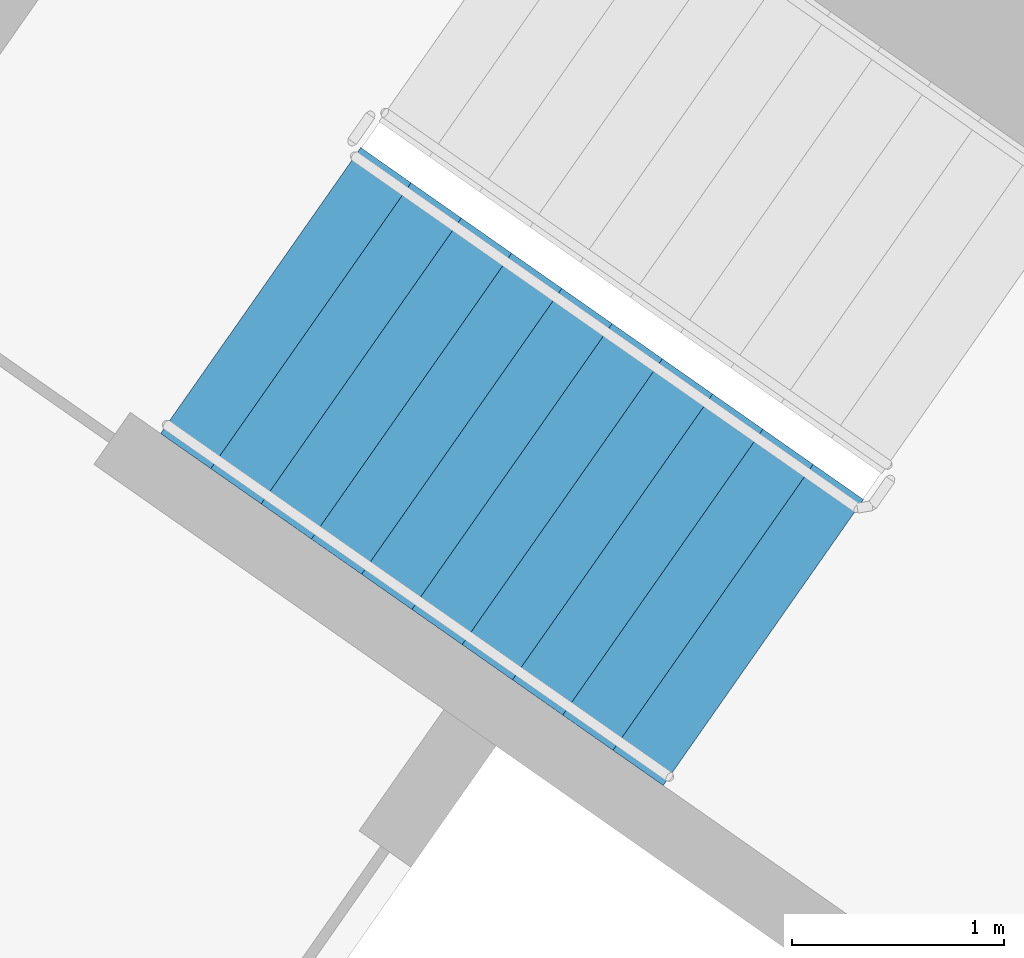
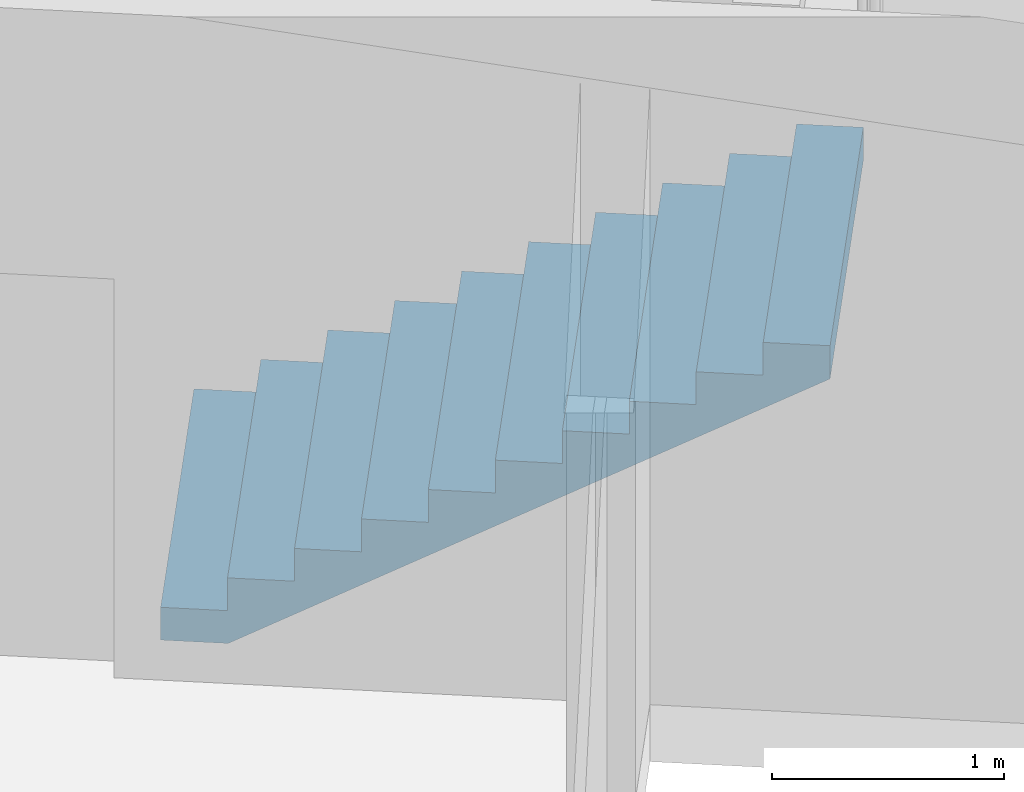
# One storey, part 11 of 26: 1 stair flight, 1 element without a shape of its own.
"""IFC4 building model written with IfcOpenShell, lengths in metres."""

from ifc_helpers import new_model, si_unit, direction, frame, origin, place, context, subcontext, project, spatial, faceted_brep, material, type_object, element, aggregate, save


model = new_model("IFC4")

# Units and contexts
model_context = context("Model", 3, precision=1e-05, world=origin(), true_north=direction((0.0, 1.0)))
body_context = subcontext(model_context, "Body", "Model", "MODEL_VIEW")
ifc_project = project(units=[si_unit("LENGTHUNIT", "METRE"), si_unit("AREAUNIT", "SQUARE_METRE"), si_unit("VOLUMEUNIT", "CUBIC_METRE"), si_unit("PLANEANGLEUNIT", "RADIAN"), si_unit("MASSUNIT", "GRAM", prefix="KILO")], contexts=[model_context])

# Site, building, storey
site_placement = place(None, origin())
site = spatial("IfcSite", under=ifc_project, at=site_placement, CompositionType="ELEMENT")
building_placement = place(site_placement, origin())
building = spatial("IfcBuilding", under=site, at=building_placement, Name="Qamariyya Broadcast Tower", CompositionType="ELEMENT")
storey_placement = place(building_placement, frame((0.0, 0.0, 160.699951171875)))
storey = spatial("IfcBuildingStorey", under=building, at=storey_placement, Name="L37", CompositionType="ELEMENT", Elevation=160.699951171875)

# Stair, stair flight
ifc_material = material(Name="Concrete C50/60", Category="concrete")
stair_type = type_object("IfcStairType", Name="Exit stair 22 risers of 173 mm", PredefinedType="HALF_TURN_STAIR", material=ifc_material)
stair_placement = place(storey_placement, origin())
stair = element("IfcStair", 1, at=stair_placement, inside=storey, type_object=stair_type, Name="L37 Stair W2", PredefinedType="HALF_TURN_STAIR")
stair_flight_type = type_object("IfcStairFlightType", Name="Exit stair flight 11 risers of 173 mm", PredefinedType="STRAIGHT", material=ifc_material)
stair_flight_placement = place(storey_placement, frame((-41.59130859375, -49.15966796875, 0.0), z_axis=(0.0, 0.0, 1.0), x_axis=(0.819152044289, -0.573576436351, 0.0)))
stair_flight = element("IfcStairFlight", 2, at=stair_flight_placement, type_object=stair_flight_type, Name="ST-W2 flight 1", NumberOfRisers=11, NumberOfTreads=10, PredefinedType="STRAIGHT", RiserHeight=0.172727273, TreadLength=0.29, context=body_context, shape_type="Brep", body=[
    faceted_brep([(0.0, 0.824951171875, 0.0), (0.0, 0.824951171875, 0.172607421875), (0.2900390625, 0.824951171875, 0.172607421875), (0.2900390625, 0.824951171875, 0.345458984375), (0.580078125, 0.824951171875, 0.345458984375), (0.580078125, 0.824951171875, 0.51806640625), (0.8701171875, 0.824951171875, 0.51806640625), (0.8701171875, 0.824951171875, 0.69091796875), (1.159912109375, 0.824951171875, 0.69091796875), (1.159912109375, 0.824951171875, 0.863525390625), (1.449951171875, 0.824951171875, 0.863525390625), (1.449951171875, 0.824951171875, 1.036376953125), (1.739990234375, 0.824951171875, 1.036376953125), (1.739990234375, 0.824951171875, 1.208984375), (2.030029296875, 0.824951171875, 1.208984375), (2.030029296875, 0.824951171875, 1.3818359375), (2.320068359375, 0.824951171875, 1.3818359375), (2.320068359375, 0.824951171875, 1.554443359375), (2.610107421875, 0.824951171875, 1.554443359375), (2.610107421875, 0.824951171875, 1.727294921875), (2.89990234375, 0.824951171875, 1.727294921875), (2.89990234375, 0.824951171875, 1.552734375), (0.29296875, 0.824951171875, 0.0), (0.29296875, -0.824951171875, 0.0), (2.89990234375, -0.824951171875, 1.552734375), (2.89990234375, -0.824951171875, 1.727294921875), (2.610107421875, -0.824951171875, 1.727294921875), (2.610107421875, -0.824951171875, 1.554443359375), (2.320068359375, -0.824951171875, 1.554443359375), (2.320068359375, -0.824951171875, 1.3818359375), (2.030029296875, -0.824951171875, 1.3818359375), (2.030029296875, -0.824951171875, 1.208984375), (1.739990234375, -0.824951171875, 1.208984375), (1.739990234375, -0.824951171875, 1.036376953125), (1.449951171875, -0.824951171875, 1.036376953125), (1.449951171875, -0.824951171875, 0.863525390625), (1.159912109375, -0.824951171875, 0.863525390625), (1.159912109375, -0.824951171875, 0.69091796875), (0.8701171875, -0.824951171875, 0.69091796875), (0.8701171875, -0.824951171875, 0.51806640625), (0.580078125, -0.824951171875, 0.51806640625), (0.580078125, -0.824951171875, 0.345458984375), (0.2900390625, -0.824951171875, 0.345458984375), (0.2900390625, -0.824951171875, 0.172607421875), (0.0, -0.824951171875, 0.172607421875), (0.0, -0.824951171875, 0.0), (0.0, 0.10009765625, 0.0), (0.0, 0.086669921875, 0.0), (0.0, 0.0732421875, 0.0), (0.0, 0.06005859375, 0.0), (0.0, 0.046630859375, 0.0), (0.0, 0.033447265625, 0.0), (0.0, 0.02001953125, 0.0), (0.0, 0.006591796875, 0.0), (0.0, -0.006591796875, 0.0), (0.0, -0.02001953125, 0.0), (0.0, -0.033447265625, 0.0), (0.0, -0.046630859375, 0.0), (0.0, -0.06005859375, 0.0), (0.0, -0.0732421875, 0.0), (0.0, -0.086669921875, 0.0), (0.0, -0.10009765625, 0.0), (0.0, -0.10009765625, 0.172607421875), (0.0, -0.086669921875, 0.172607421875), (0.0, -0.0732421875, 0.172607421875), (0.0, -0.06005859375, 0.172607421875), (0.0, -0.046630859375, 0.172607421875), (0.0, -0.033447265625, 0.172607421875), (0.0, -0.02001953125, 0.172607421875), (0.0, -0.006591796875, 0.172607421875), (0.0, 0.006591796875, 0.172607421875), (0.0, 0.02001953125, 0.172607421875), (0.0, 0.033447265625, 0.172607421875), (0.0, 0.046630859375, 0.172607421875), (0.0, 0.06005859375, 0.172607421875), (0.0, 0.0732421875, 0.172607421875), (0.0, 0.086669921875, 0.172607421875), (0.0, 0.10009765625, 0.172607421875), (0.2900390625, -0.10009765625, 0.172607421875), (0.2900390625, -0.086669921875, 0.172607421875), (0.2900390625, -0.0732421875, 0.172607421875), (0.2900390625, -0.06005859375, 0.172607421875), (0.2900390625, -0.046630859375, 0.172607421875), (0.2900390625, -0.033447265625, 0.172607421875), (0.2900390625, -0.02001953125, 0.172607421875), (0.2900390625, -0.006591796875, 0.172607421875), (0.2900390625, 0.006591796875, 0.172607421875), (0.2900390625, 0.02001953125, 0.172607421875), (0.2900390625, 0.033447265625, 0.172607421875), (0.2900390625, 0.046630859375, 0.172607421875), (0.2900390625, 0.06005859375, 0.172607421875), (0.2900390625, 0.0732421875, 0.172607421875), (0.2900390625, 0.086669921875, 0.172607421875), (0.2900390625, 0.10009765625, 0.172607421875), (0.2900390625, -0.10009765625, 0.345458984375), (0.2900390625, -0.086669921875, 0.345458984375), (0.2900390625, -0.0732421875, 0.345458984375), (0.2900390625, -0.06005859375, 0.345458984375), (0.2900390625, -0.046630859375, 0.345458984375), (0.2900390625, -0.033447265625, 0.345458984375), (0.2900390625, -0.02001953125, 0.345458984375), (0.2900390625, -0.006591796875, 0.345458984375), (0.2900390625, 0.006591796875, 0.345458984375), (0.2900390625, 0.02001953125, 0.345458984375), (0.2900390625, 0.033447265625, 0.345458984375), (0.2900390625, 0.046630859375, 0.345458984375), (0.2900390625, 0.06005859375, 0.345458984375), (0.2900390625, 0.0732421875, 0.345458984375), (0.2900390625, 0.086669921875, 0.345458984375), (0.2900390625, 0.10009765625, 0.345458984375), (0.580078125, -0.10009765625, 0.345458984375), (0.580078125, -0.086669921875, 0.345458984375), (0.580078125, -0.0732421875, 0.345458984375), (0.580078125, -0.06005859375, 0.345458984375), (0.580078125, -0.046630859375, 0.345458984375), (0.580078125, -0.033447265625, 0.345458984375), (0.580078125, -0.02001953125, 0.345458984375), (0.580078125, -0.006591796875, 0.345458984375), (0.580078125, 0.006591796875, 0.345458984375), (0.580078125, 0.02001953125, 0.345458984375), (0.580078125, 0.033447265625, 0.345458984375), (0.580078125, 0.046630859375, 0.345458984375), (0.580078125, 0.06005859375, 0.345458984375), (0.580078125, 0.0732421875, 0.345458984375), (0.580078125, 0.086669921875, 0.345458984375), (0.580078125, 0.10009765625, 0.345458984375), (0.580078125, -0.10009765625, 0.51806640625), (0.580078125, -0.086669921875, 0.51806640625), (0.580078125, -0.0732421875, 0.51806640625), (0.580078125, -0.06005859375, 0.51806640625), (0.580078125, -0.046630859375, 0.51806640625), (0.580078125, -0.033447265625, 0.51806640625), (0.580078125, -0.02001953125, 0.51806640625), (0.580078125, -0.006591796875, 0.51806640625), (0.580078125, 0.006591796875, 0.51806640625), (0.580078125, 0.02001953125, 0.51806640625), (0.580078125, 0.033447265625, 0.51806640625), (0.580078125, 0.046630859375, 0.51806640625), (0.580078125, 0.06005859375, 0.51806640625), (0.580078125, 0.0732421875, 0.51806640625), (0.580078125, 0.086669921875, 0.51806640625), (0.580078125, 0.10009765625, 0.51806640625), (0.8701171875, -0.10009765625, 0.51806640625), (0.8701171875, -0.086669921875, 0.51806640625), (0.8701171875, -0.0732421875, 0.51806640625), (0.8701171875, -0.06005859375, 0.51806640625), (0.8701171875, -0.046630859375, 0.51806640625), (0.8701171875, -0.033447265625, 0.51806640625), (0.8701171875, -0.02001953125, 0.51806640625), (0.8701171875, -0.006591796875, 0.51806640625), (0.8701171875, 0.006591796875, 0.51806640625), (0.8701171875, 0.02001953125, 0.51806640625), (0.8701171875, 0.033447265625, 0.51806640625), (0.8701171875, 0.046630859375, 0.51806640625), (0.8701171875, 0.06005859375, 0.51806640625), (0.8701171875, 0.0732421875, 0.51806640625), (0.8701171875, 0.086669921875, 0.51806640625), (0.8701171875, 0.10009765625, 0.51806640625), (0.8701171875, -0.10009765625, 0.69091796875), (0.8701171875, -0.086669921875, 0.69091796875), (0.8701171875, -0.0732421875, 0.69091796875), (0.8701171875, -0.06005859375, 0.69091796875), (0.8701171875, -0.046630859375, 0.69091796875), (0.8701171875, -0.033447265625, 0.69091796875), (0.8701171875, -0.02001953125, 0.69091796875), (0.8701171875, -0.006591796875, 0.69091796875), (0.8701171875, 0.006591796875, 0.69091796875), (0.8701171875, 0.02001953125, 0.69091796875), (0.8701171875, 0.033447265625, 0.69091796875), (0.8701171875, 0.046630859375, 0.69091796875), (0.8701171875, 0.06005859375, 0.69091796875), (0.8701171875, 0.0732421875, 0.69091796875), (0.8701171875, 0.086669921875, 0.69091796875), (0.8701171875, 0.10009765625, 0.69091796875), (1.159912109375, -0.10009765625, 0.69091796875), (1.159912109375, -0.086669921875, 0.69091796875), (1.159912109375, -0.0732421875, 0.69091796875), (1.159912109375, -0.06005859375, 0.69091796875), (1.159912109375, -0.046630859375, 0.69091796875), (1.159912109375, -0.033447265625, 0.69091796875), (1.159912109375, -0.02001953125, 0.69091796875), (1.159912109375, -0.006591796875, 0.69091796875), (1.159912109375, 0.006591796875, 0.69091796875), (1.159912109375, 0.02001953125, 0.69091796875), (1.159912109375, 0.033447265625, 0.69091796875), (1.159912109375, 0.046630859375, 0.69091796875), (1.159912109375, 0.06005859375, 0.69091796875), (1.159912109375, 0.0732421875, 0.69091796875), (1.159912109375, 0.086669921875, 0.69091796875), (1.159912109375, 0.10009765625, 0.69091796875), (1.159912109375, -0.10009765625, 0.863525390625), (1.159912109375, -0.086669921875, 0.863525390625), (1.159912109375, -0.0732421875, 0.863525390625), (1.159912109375, -0.06005859375, 0.863525390625), (1.159912109375, -0.046630859375, 0.863525390625), (1.159912109375, -0.033447265625, 0.863525390625), (1.159912109375, -0.02001953125, 0.863525390625), (1.159912109375, -0.006591796875, 0.863525390625), (1.159912109375, 0.006591796875, 0.863525390625), (1.159912109375, 0.02001953125, 0.863525390625), (1.159912109375, 0.033447265625, 0.863525390625), (1.159912109375, 0.046630859375, 0.863525390625), (1.159912109375, 0.06005859375, 0.863525390625), (1.159912109375, 0.0732421875, 0.863525390625), (1.159912109375, 0.086669921875, 0.863525390625), (1.159912109375, 0.10009765625, 0.863525390625), (1.449951171875, -0.10009765625, 0.863525390625), (1.449951171875, -0.086669921875, 0.863525390625), (1.449951171875, -0.0732421875, 0.863525390625), (1.449951171875, -0.06005859375, 0.863525390625), (1.449951171875, -0.046630859375, 0.863525390625), (1.449951171875, -0.033447265625, 0.863525390625), (1.449951171875, -0.02001953125, 0.863525390625), (1.449951171875, -0.006591796875, 0.863525390625), (1.449951171875, 0.006591796875, 0.863525390625), (1.449951171875, 0.02001953125, 0.863525390625), (1.449951171875, 0.033447265625, 0.863525390625), (1.449951171875, 0.046630859375, 0.863525390625), (1.449951171875, 0.06005859375, 0.863525390625), (1.449951171875, 0.0732421875, 0.863525390625), (1.449951171875, 0.086669921875, 0.863525390625), (1.449951171875, 0.10009765625, 0.863525390625), (1.449951171875, -0.10009765625, 1.036376953125), (1.449951171875, -0.086669921875, 1.036376953125), (1.449951171875, -0.0732421875, 1.036376953125), (1.449951171875, -0.06005859375, 1.036376953125), (1.449951171875, -0.046630859375, 1.036376953125), (1.449951171875, -0.033447265625, 1.036376953125), (1.449951171875, -0.02001953125, 1.036376953125), (1.449951171875, -0.006591796875, 1.036376953125), (1.449951171875, 0.006591796875, 1.036376953125), (1.449951171875, 0.02001953125, 1.036376953125), (1.449951171875, 0.033447265625, 1.036376953125), (1.449951171875, 0.046630859375, 1.036376953125), (1.449951171875, 0.06005859375, 1.036376953125), (1.449951171875, 0.0732421875, 1.036376953125), (1.449951171875, 0.086669921875, 1.036376953125), (1.449951171875, 0.10009765625, 1.036376953125), (1.739990234375, -0.10009765625, 1.036376953125), (1.739990234375, -0.086669921875, 1.036376953125), (1.739990234375, -0.0732421875, 1.036376953125), (1.739990234375, -0.06005859375, 1.036376953125), (1.739990234375, -0.046630859375, 1.036376953125), (1.739990234375, -0.033447265625, 1.036376953125), (1.739990234375, -0.02001953125, 1.036376953125), (1.739990234375, -0.006591796875, 1.036376953125), (1.739990234375, 0.006591796875, 1.036376953125), (1.739990234375, 0.02001953125, 1.036376953125), (1.739990234375, 0.033447265625, 1.036376953125), (1.739990234375, 0.046630859375, 1.036376953125), (1.739990234375, 0.06005859375, 1.036376953125), (1.739990234375, 0.0732421875, 1.036376953125), (1.739990234375, 0.086669921875, 1.036376953125), (1.739990234375, 0.10009765625, 1.036376953125), (1.739990234375, -0.10009765625, 1.208984375), (1.739990234375, -0.086669921875, 1.208984375), (1.739990234375, -0.0732421875, 1.208984375), (1.739990234375, -0.06005859375, 1.208984375), (1.739990234375, -0.046630859375, 1.208984375), (1.739990234375, -0.033447265625, 1.208984375), (1.739990234375, -0.02001953125, 1.208984375), (1.739990234375, -0.006591796875, 1.208984375), (1.739990234375, 0.006591796875, 1.208984375), (1.739990234375, 0.02001953125, 1.208984375), (1.739990234375, 0.033447265625, 1.208984375), (1.739990234375, 0.046630859375, 1.208984375), (1.739990234375, 0.06005859375, 1.208984375), (1.739990234375, 0.0732421875, 1.208984375), (1.739990234375, 0.086669921875, 1.208984375), (1.739990234375, 0.10009765625, 1.208984375), (2.030029296875, -0.10009765625, 1.208984375), (2.030029296875, -0.086669921875, 1.208984375), (2.030029296875, -0.0732421875, 1.208984375), (2.030029296875, -0.06005859375, 1.208984375), (2.030029296875, -0.046630859375, 1.208984375), (2.030029296875, -0.033447265625, 1.208984375), (2.030029296875, -0.02001953125, 1.208984375), (2.030029296875, -0.006591796875, 1.208984375), (2.030029296875, 0.006591796875, 1.208984375), (2.030029296875, 0.02001953125, 1.208984375), (2.030029296875, 0.033447265625, 1.208984375), (2.030029296875, 0.046630859375, 1.208984375), (2.030029296875, 0.06005859375, 1.208984375), (2.030029296875, 0.0732421875, 1.208984375), (2.030029296875, 0.086669921875, 1.208984375), (2.030029296875, 0.10009765625, 1.208984375), (2.030029296875, -0.10009765625, 1.3818359375), (2.030029296875, -0.086669921875, 1.3818359375), (2.030029296875, -0.0732421875, 1.3818359375), (2.030029296875, -0.06005859375, 1.3818359375), (2.030029296875, -0.046630859375, 1.3818359375), (2.030029296875, -0.033447265625, 1.3818359375), (2.030029296875, -0.02001953125, 1.3818359375), (2.030029296875, -0.006591796875, 1.3818359375), (2.030029296875, 0.006591796875, 1.3818359375), (2.030029296875, 0.02001953125, 1.3818359375), (2.030029296875, 0.033447265625, 1.3818359375), (2.030029296875, 0.046630859375, 1.3818359375), (2.030029296875, 0.06005859375, 1.3818359375), (2.030029296875, 0.0732421875, 1.3818359375), (2.030029296875, 0.086669921875, 1.3818359375), (2.030029296875, 0.10009765625, 1.3818359375), (2.320068359375, -0.10009765625, 1.3818359375), (2.320068359375, -0.086669921875, 1.3818359375), (2.320068359375, -0.0732421875, 1.3818359375), (2.320068359375, -0.06005859375, 1.3818359375), (2.320068359375, -0.046630859375, 1.3818359375), (2.320068359375, -0.033447265625, 1.3818359375), (2.320068359375, -0.02001953125, 1.3818359375), (2.320068359375, -0.006591796875, 1.3818359375), (2.320068359375, 0.006591796875, 1.3818359375), (2.320068359375, 0.02001953125, 1.3818359375), (2.320068359375, 0.033447265625, 1.3818359375), (2.320068359375, 0.046630859375, 1.3818359375), (2.320068359375, 0.06005859375, 1.3818359375), (2.320068359375, 0.0732421875, 1.3818359375), (2.320068359375, 0.086669921875, 1.3818359375), (2.320068359375, 0.10009765625, 1.3818359375), (2.320068359375, -0.10009765625, 1.554443359375), (2.320068359375, -0.086669921875, 1.554443359375), (2.320068359375, -0.0732421875, 1.554443359375), (2.320068359375, -0.06005859375, 1.554443359375), (2.320068359375, -0.046630859375, 1.554443359375), (2.320068359375, -0.033447265625, 1.554443359375), (2.320068359375, -0.02001953125, 1.554443359375), (2.320068359375, -0.006591796875, 1.554443359375), (2.320068359375, 0.006591796875, 1.554443359375), (2.320068359375, 0.02001953125, 1.554443359375), (2.320068359375, 0.033447265625, 1.554443359375), (2.320068359375, 0.046630859375, 1.554443359375), (2.320068359375, 0.06005859375, 1.554443359375), (2.320068359375, 0.0732421875, 1.554443359375), (2.320068359375, 0.086669921875, 1.554443359375), (2.320068359375, 0.10009765625, 1.554443359375), (2.610107421875, -0.10009765625, 1.554443359375), (2.610107421875, -0.086669921875, 1.554443359375), (2.610107421875, -0.0732421875, 1.554443359375), (2.610107421875, -0.06005859375, 1.554443359375), (2.610107421875, -0.046630859375, 1.554443359375), (2.610107421875, -0.033447265625, 1.554443359375), (2.610107421875, -0.02001953125, 1.554443359375), (2.610107421875, -0.006591796875, 1.554443359375), (2.610107421875, 0.006591796875, 1.554443359375), (2.610107421875, 0.02001953125, 1.554443359375), (2.610107421875, 0.033447265625, 1.554443359375), (2.610107421875, 0.046630859375, 1.554443359375), (2.610107421875, 0.06005859375, 1.554443359375), (2.610107421875, 0.0732421875, 1.554443359375), (2.610107421875, 0.086669921875, 1.554443359375), (2.610107421875, 0.10009765625, 1.554443359375), (2.610107421875, -0.10009765625, 1.727294921875), (2.610107421875, -0.086669921875, 1.727294921875), (2.610107421875, -0.0732421875, 1.727294921875), (2.610107421875, -0.06005859375, 1.727294921875), (2.610107421875, -0.046630859375, 1.727294921875), (2.610107421875, -0.033447265625, 1.727294921875), (2.610107421875, -0.02001953125, 1.727294921875), (2.610107421875, -0.006591796875, 1.727294921875), (2.610107421875, 0.006591796875, 1.727294921875), (2.610107421875, 0.02001953125, 1.727294921875), (2.610107421875, 0.033447265625, 1.727294921875), (2.610107421875, 0.046630859375, 1.727294921875), (2.610107421875, 0.06005859375, 1.727294921875), (2.610107421875, 0.0732421875, 1.727294921875), (2.610107421875, 0.086669921875, 1.727294921875), (2.610107421875, 0.10009765625, 1.727294921875), (2.89990234375, -0.10009765625, 1.727294921875), (2.89990234375, -0.086669921875, 1.727294921875), (2.89990234375, -0.0732421875, 1.727294921875), (2.89990234375, -0.06005859375, 1.727294921875), (2.89990234375, -0.046630859375, 1.727294921875), (2.89990234375, -0.033447265625, 1.727294921875), (2.89990234375, -0.02001953125, 1.727294921875), (2.89990234375, -0.006591796875, 1.727294921875), (2.89990234375, 0.006591796875, 1.727294921875), (2.89990234375, 0.02001953125, 1.727294921875), (2.89990234375, 0.033447265625, 1.727294921875), (2.89990234375, 0.046630859375, 1.727294921875), (2.89990234375, 0.06005859375, 1.727294921875), (2.89990234375, 0.0732421875, 1.727294921875), (2.89990234375, 0.086669921875, 1.727294921875), (2.89990234375, 0.10009765625, 1.727294921875), (2.89990234375, -0.10009765625, 1.552734375), (2.89990234375, -0.086669921875, 1.552734375), (2.89990234375, -0.0732421875, 1.552734375), (2.89990234375, -0.06005859375, 1.552734375), (2.89990234375, -0.046630859375, 1.552734375), (2.89990234375, -0.033447265625, 1.552734375), (2.89990234375, -0.02001953125, 1.552734375), (2.89990234375, -0.006591796875, 1.552734375), (2.89990234375, 0.006591796875, 1.552734375), (2.89990234375, 0.02001953125, 1.552734375), (2.89990234375, 0.033447265625, 1.552734375), (2.89990234375, 0.046630859375, 1.552734375), (2.89990234375, 0.06005859375, 1.552734375), (2.89990234375, 0.0732421875, 1.552734375), (2.89990234375, 0.086669921875, 1.552734375), (2.89990234375, 0.10009765625, 1.552734375), (0.29296875, -0.10009765625, 0.0), (0.29296875, -0.086669921875, 0.0), (0.29296875, -0.0732421875, 0.0), (0.29296875, -0.06005859375, 0.0), (0.29296875, -0.046630859375, 0.0), (0.29296875, -0.033447265625, 0.0), (0.29296875, -0.02001953125, 0.0), (0.29296875, -0.006591796875, 0.0), (0.29296875, 0.006591796875, 0.0), (0.29296875, 0.02001953125, 0.0), (0.29296875, 0.033447265625, 0.0), (0.29296875, 0.046630859375, 0.0), (0.29296875, 0.06005859375, 0.0), (0.29296875, 0.0732421875, 0.0), (0.29296875, 0.086669921875, 0.0), (0.29296875, 0.10009765625, 0.0)], [[[0, 1, 2, 3, 4, 5, 6, 7, 8, 9, 10, 11, 12, 13, 14, 15, 16, 17, 18, 19, 20, 21, 22]], [[23, 24, 25, 26, 27, 28, 29, 30, 31, 32, 33, 34, 35, 36, 37, 38, 39, 40, 41, 42, 43, 44, 45]], [[0, 46, 47, 48, 49, 50, 51, 52, 53, 54, 55, 56, 57, 58, 59, 60, 61, 45, 44, 62, 63, 64, 65, 66, 67, 68, 69, 70, 71, 72, 73, 74, 75, 76, 77, 1]], [[1, 77, 76, 75, 74, 73, 72, 71, 70, 69, 68, 67, 66, 65, 64, 63, 62, 44, 43, 78, 79, 80, 81, 82, 83, 84, 85, 86, 87, 88, 89, 90, 91, 92, 93, 2]], [[2, 93, 92, 91, 90, 89, 88, 87, 86, 85, 84, 83, 82, 81, 80, 79, 78, 43, 42, 94, 95, 96, 97, 98, 99, 100, 101, 102, 103, 104, 105, 106, 107, 108, 109, 3]], [[3, 109, 108, 107, 106, 105, 104, 103, 102, 101, 100, 99, 98, 97, 96, 95, 94, 42, 41, 110, 111, 112, 113, 114, 115, 116, 117, 118, 119, 120, 121, 122, 123, 124, 125, 4]], [[4, 125, 124, 123, 122, 121, 120, 119, 118, 117, 116, 115, 114, 113, 112, 111, 110, 41, 40, 126, 127, 128, 129, 130, 131, 132, 133, 134, 135, 136, 137, 138, 139, 140, 141, 5]], [[5, 141, 140, 139, 138, 137, 136, 135, 134, 133, 132, 131, 130, 129, 128, 127, 126, 40, 39, 142, 143, 144, 145, 146, 147, 148, 149, 150, 151, 152, 153, 154, 155, 156, 157, 6]], [[6, 157, 156, 155, 154, 153, 152, 151, 150, 149, 148, 147, 146, 145, 144, 143, 142, 39, 38, 158, 159, 160, 161, 162, 163, 164, 165, 166, 167, 168, 169, 170, 171, 172, 173, 7]], [[7, 173, 172, 171, 170, 169, 168, 167, 166, 165, 164, 163, 162, 161, 160, 159, 158, 38, 37, 174, 175, 176, 177, 178, 179, 180, 181, 182, 183, 184, 185, 186, 187, 188, 189, 8]], [[8, 189, 188, 187, 186, 185, 184, 183, 182, 181, 180, 179, 178, 177, 176, 175, 174, 37, 36, 190, 191, 192, 193, 194, 195, 196, 197, 198, 199, 200, 201, 202, 203, 204, 205, 9]], [[9, 205, 204, 203, 202, 201, 200, 199, 198, 197, 196, 195, 194, 193, 192, 191, 190, 36, 35, 206, 207, 208, 209, 210, 211, 212, 213, 214, 215, 216, 217, 218, 219, 220, 221, 10]], [[10, 221, 220, 219, 218, 217, 216, 215, 214, 213, 212, 211, 210, 209, 208, 207, 206, 35, 34, 222, 223, 224, 225, 226, 227, 228, 229, 230, 231, 232, 233, 234, 235, 236, 237, 11]], [[11, 237, 236, 235, 234, 233, 232, 231, 230, 229, 228, 227, 226, 225, 224, 223, 222, 34, 33, 238, 239, 240, 241, 242, 243, 244, 245, 246, 247, 248, 249, 250, 251, 252, 253, 12]], [[12, 253, 252, 251, 250, 249, 248, 247, 246, 245, 244, 243, 242, 241, 240, 239, 238, 33, 32, 254, 255, 256, 257, 258, 259, 260, 261, 262, 263, 264, 265, 266, 267, 268, 269, 13]], [[13, 269, 268, 267, 266, 265, 264, 263, 262, 261, 260, 259, 258, 257, 256, 255, 254, 32, 31, 270, 271, 272, 273, 274, 275, 276, 277, 278, 279, 280, 281, 282, 283, 284, 285, 14]], [[14, 285, 284, 283, 282, 281, 280, 279, 278, 277, 276, 275, 274, 273, 272, 271, 270, 31, 30, 286, 287, 288, 289, 290, 291, 292, 293, 294, 295, 296, 297, 298, 299, 300, 301, 15]], [[15, 301, 300, 299, 298, 297, 296, 295, 294, 293, 292, 291, 290, 289, 288, 287, 286, 30, 29, 302, 303, 304, 305, 306, 307, 308, 309, 310, 311, 312, 313, 314, 315, 316, 317, 16]], [[16, 317, 316, 315, 314, 313, 312, 311, 310, 309, 308, 307, 306, 305, 304, 303, 302, 29, 28, 318, 319, 320, 321, 322, 323, 324, 325, 326, 327, 328, 329, 330, 331, 332, 333, 17]], [[17, 333, 332, 331, 330, 329, 328, 327, 326, 325, 324, 323, 322, 321, 320, 319, 318, 28, 27, 334, 335, 336, 337, 338, 339, 340, 341, 342, 343, 344, 345, 346, 347, 348, 349, 18]], [[18, 349, 348, 347, 346, 345, 344, 343, 342, 341, 340, 339, 338, 337, 336, 335, 334, 27, 26, 350, 351, 352, 353, 354, 355, 356, 357, 358, 359, 360, 361, 362, 363, 364, 365, 19]], [[19, 365, 364, 363, 362, 361, 360, 359, 358, 357, 356, 355, 354, 353, 352, 351, 350, 26, 25, 366, 367, 368, 369, 370, 371, 372, 373, 374, 375, 376, 377, 378, 379, 380, 381, 20]], [[20, 381, 380, 379, 378, 377, 376, 375, 374, 373, 372, 371, 370, 369, 368, 367, 366, 25, 24, 382, 383, 384, 385, 386, 387, 388, 389, 390, 391, 392, 393, 394, 395, 396, 397, 21]], [[21, 397, 396, 395, 394, 393, 392, 391, 390, 389, 388, 387, 386, 385, 384, 383, 382, 24, 23, 398, 399, 400, 401, 402, 403, 404, 405, 406, 407, 408, 409, 410, 411, 412, 413, 22]], [[22, 413, 412, 411, 410, 409, 408, 407, 406, 405, 404, 403, 402, 401, 400, 399, 398, 23, 45, 61, 60, 59, 58, 57, 56, 55, 54, 53, 52, 51, 50, 49, 48, 47, 46, 0]]]),
])
aggregate(stair, [stair_flight])

save(model, "model.ifc")
